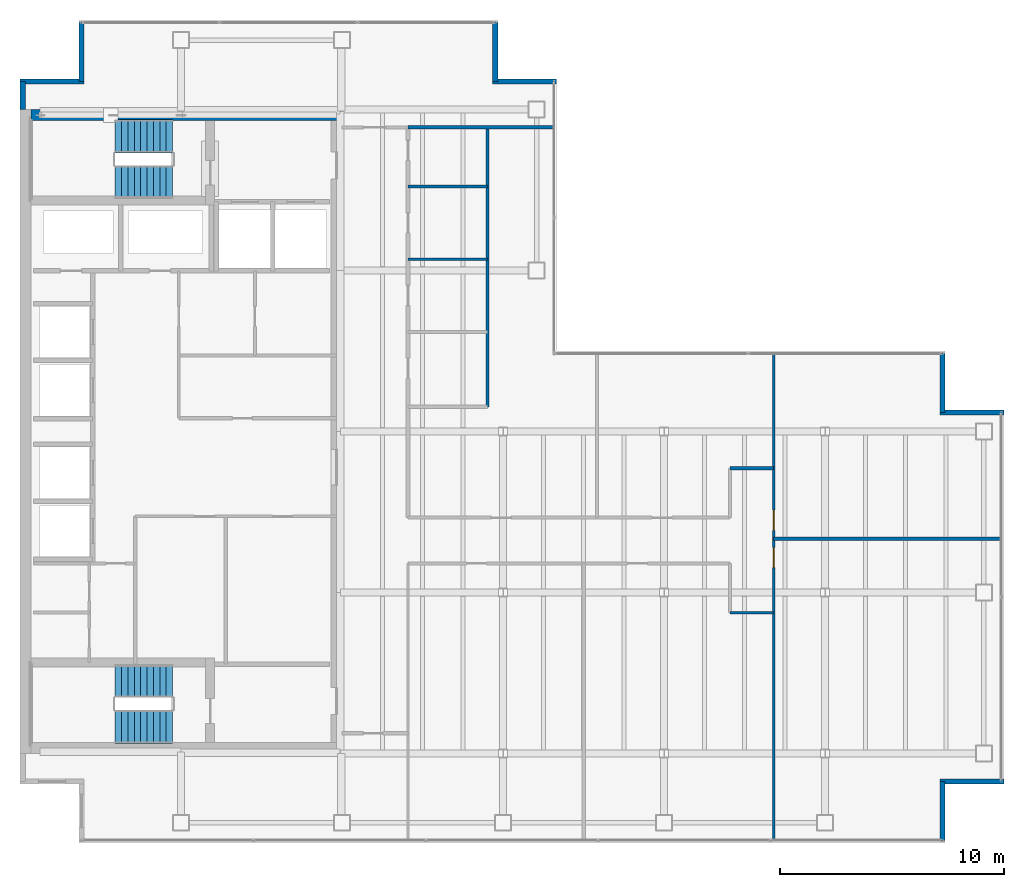
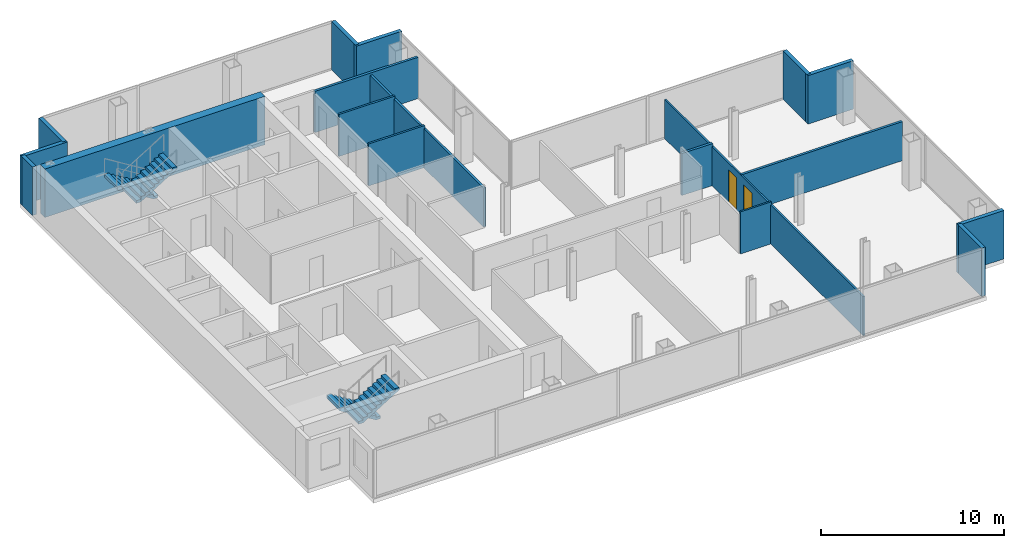
# One storey, part 22 of 23: 18 walls, 4 stair flights, 2 doors, 2 openings, 2 elements without a shape of their own.
"""IFC4 building model written with IfcOpenShell, lengths in metres."""

from ifc_helpers import new_model, si_unit, direction, frame, frame_2d, origin, place, context, subcontext, project, spatial, polyline, rectangle, outline, extrude, material, layer, layer_set, type_object, element, fill, aggregate, save


model = new_model("IFC4")

# Units and contexts
model_context = context("Model", 3, precision=1e-05, world=origin(), true_north=direction((0.0, 1.0)))
body_context = subcontext(model_context, "Body", "Model", "MODEL_VIEW")
ifc_project = project(units=[si_unit("LENGTHUNIT", "METRE"), si_unit("AREAUNIT", "SQUARE_METRE"), si_unit("VOLUMEUNIT", "CUBIC_METRE"), si_unit("PLANEANGLEUNIT", "RADIAN"), si_unit("MASSUNIT", "GRAM", prefix="KILO")], contexts=[model_context])

# Site, building, storey
site_placement = place(None, origin())
site = spatial("IfcSite", under=ifc_project, at=site_placement, CompositionType="ELEMENT")
building_placement = place(site_placement, origin())
building = spatial("IfcBuilding", under=site, at=building_placement, Name="Cobrela Telecom Tower", CompositionType="ELEMENT")
storey_placement = place(building_placement, frame((0.0, 0.0, 211.75)))
storey = spatial("IfcBuildingStorey", under=building, at=storey_placement, Name="L54", CompositionType="ELEMENT", Elevation=211.75)

# Walls
ifc_material_1 = material(Name="Concrete C40/50", Category="concrete")
ifc_layer_1 = layer(ifc_material_1, 0.5)
ifc_layer_set_1 = layer_set([ifc_layer_1], Name="Concrete C40/50")
wall_type_1 = type_object("IfcWallType", Name="WALL-CORE-C40-500", PredefinedType="SHEAR", material=ifc_layer_set_1)
wall_1_placement = place(storey_placement, frame((0.5, 35.75, 0.0), z_axis=(0.0, 0.0, 1.0), x_axis=(1.0, 0.0, 0.0)))
element("IfcWall", 1, at=wall_1_placement, inside=storey, type_object=wall_type_1, Name="L54 North Core Shear Wall", PredefinedType="SHEAR", context=body_context, shape_type="SweptSolid", body=[
    extrude(rectangle(XDim=13.89990234375, YDim=0.5, at=frame_2d((6.949951171875, 0.0))), origin(), (0.0, 0.0, 1.0), 3.239990234375),
])
ifc_layer_2 = layer(ifc_material_1, 0.239990234375)
ifc_layer_set_2 = layer_set([ifc_layer_2], Name="Concrete C40/50")
wall_type_2 = type_object("IfcWallType", Name="WALL-EXT-300", PredefinedType="STANDARD", material=ifc_layer_set_2)
wall_2_placement = place(storey_placement, frame((0.1201171875, 36.0, 0.0), z_axis=(0.0, 0.0, 1.0), x_axis=(0.0, 1.0, 0.0)))
element("IfcWall", 2, at=wall_2_placement, inside=storey, type_object=wall_type_2, Name="L54 Insulated Facade Wall 04", PredefinedType="STANDARD", context=body_context, shape_type="SweptSolid", body=[
    extrude(rectangle(XDim=1.25, YDim=0.239990234375, at=frame_2d((0.625, 0.0))), origin(), (0.0, 0.0, 1.0), 3.239990234375),
])
wall_3_placement = place(storey_placement, frame((0.0, 37.25, 0.0), z_axis=(0.0, 0.0, 1.0), x_axis=(1.0, 0.0, 0.0)))
element("IfcWall", 3, at=wall_3_placement, inside=storey, type_object=wall_type_2, Name="L54 Insulated Facade Wall 05", PredefinedType="STANDARD", context=body_context, shape_type="SweptSolid", body=[
    extrude(rectangle(XDim=2.8701171875, YDim=0.239990234375, at=frame_2d((1.43505859375, 0.0))), origin(), (0.0, 0.0, 1.0), 3.239990234375),
])
for number, where, z_axis, x_axis, name in (
    (4, (2.75, 37.25, 0.0), (0.0, 0.0, 1.0), (0.0, 1.0, 0.0), "L54 Insulated Facade Wall 06"),
    (5, (21.25, 39.8798828125, 0.0), (0.0, 0.0, 1.0), (0.0, -1.0, 0.0), "L54 Insulated Facade Wall 08"),
):
    element("IfcWall", number, at=place(storey_placement, frame(where, z_axis=z_axis, x_axis=x_axis)), inside=storey, type_object=wall_type_2, Name=name, PredefinedType="STANDARD", context=body_context, shape_type="SweptSolid", body=[
        extrude(rectangle(XDim=2.6298828125, YDim=0.239990234375, at=frame_2d((1.31494140625, 0.0))), origin(), (0.0, 0.0, 1.0), 3.239990234375),
    ])
wall_4_placement = place(storey_placement, frame((21.1298828125, 37.25, 0.0), z_axis=(0.0, 0.0, 1.0), x_axis=(1.0, 0.0, 0.0)))
element("IfcWall", 6, at=wall_4_placement, inside=storey, type_object=wall_type_2, Name="L54 Insulated Facade Wall 09", PredefinedType="STANDARD", context=body_context, shape_type="SweptSolid", body=[
    extrude(rectangle(XDim=2.8701171875, YDim=0.239990234375, at=frame_2d((1.43505859375, 0.0))), origin(), (0.0, 0.0, 1.0), 3.239990234375),
])
wall_5_placement = place(storey_placement, frame((41.25, 25.080078125, 0.0), z_axis=(0.0, 0.0, 1.0), x_axis=(0.0, -1.0, 0.0)))
element("IfcWall", 7, at=wall_5_placement, inside=storey, type_object=wall_type_2, Name="L54 Insulated Facade Wall 12", PredefinedType="STANDARD", context=body_context, shape_type="SweptSolid", body=[
    extrude(rectangle(XDim=2.630126953125, YDim=0.239990234375, at=frame_2d((1.31494140625, 0.0))), origin(), (0.0, 0.0, 1.0), 3.239990234375),
])
for number, where, z_axis, x_axis, name in (
    (8, (41.1298828125, 22.449951171875, 0.0), (0.0, 0.0, 1.0), (1.0, 0.0, 0.0), "L54 Insulated Facade Wall 13"),
    (9, (44.0, 5.949951171875, 0.0), (0.0, 0.0, 1.0), (-1.0, 0.0, 0.0), "L54 Insulated Facade Wall 15"),
):
    element("IfcWall", number, at=place(storey_placement, frame(where, z_axis=z_axis, x_axis=x_axis)), inside=storey, type_object=wall_type_2, Name=name, PredefinedType="STANDARD", context=body_context, shape_type="SweptSolid", body=[
        extrude(rectangle(XDim=2.8701171875, YDim=0.239990234375, at=frame_2d((1.43505859375, 0.0))), origin(), (0.0, 0.0, 1.0), 3.239990234375),
    ])
wall_6_placement = place(storey_placement, frame((41.25, 5.949951171875, 0.0), z_axis=(0.0, 0.0, 1.0), x_axis=(0.0, -1.0, 0.0)))
element("IfcWall", 10, at=wall_6_placement, inside=storey, type_object=wall_type_2, Name="L54 Insulated Facade Wall 16", PredefinedType="STANDARD", context=body_context, shape_type="SweptSolid", body=[
    extrude(rectangle(XDim=2.6298828125, YDim=0.239990234375, at=frame_2d((1.31494140625, 0.0))), origin(), (0.0, 0.0, 1.0), 3.239990234375),
])
ifc_material_2 = material(Name="Fire-Rated Gypsum Plasterboard")
ifc_layer_3 = layer(ifc_material_2, 0.110107421875)
ifc_layer_set_3 = layer_set([ifc_layer_3], Name="Fire-Rated Gypsum Plasterboard")
wall_type_3 = type_object("IfcWallType", Name="WALL-PART-110", PredefinedType="PARTITIONING", material=ifc_layer_set_3)
wall_7_placement = place(storey_placement, frame((31.75, 13.5, 0.0), z_axis=(0.0, 0.0, 1.0), x_axis=(1.0, 0.0, 0.0)))
element("IfcWall", 11, at=wall_7_placement, inside=storey, type_object=wall_type_3, Name="L54 Interior Partition W-CT-S", PredefinedType="PARTITIONING", context=body_context, shape_type="SweptSolid", body=[
    extrude(rectangle(XDim=1.949951171875, YDim=0.110107421875, at=frame_2d((0.97509765625, 0.0))), origin(), (0.0, 0.0, 1.0), 2.80810546875),
])

# Wall, openings, doors
wall_8_placement = place(storey_placement, frame((33.699951171875, 3.320068359375, 0.0), z_axis=(0.0, 0.0, 1.0), x_axis=(0.0, 1.0, 0.0)))
wall_8 = element("IfcWall", 12, at=wall_8_placement, inside=storey, type_object=wall_type_3, Name="L54 Interior Partition W-C-END", PredefinedType="PARTITIONING", context=body_context, shape_type="SweptSolid", body=[
    extrude(rectangle(XDim=21.760009765625, YDim=0.110107421875, at=frame_2d((10.8798828125, 0.0))), origin(), (0.0, 0.0, 1.0), 2.613037109375),
])
opening_1_placement = place(wall_8_placement, frame((12.18994140625, 0.0, 0.0)))
opening_1 = element("IfcOpeningElement", 13, at=opening_1_placement, cuts=wall_8, Name="Opening DR-41", PredefinedType="OPENING", context=body_context, shape_type="SweptSolid", body=[
    extrude(rectangle(XDim=0.89990234375, YDim=2.14990234375, at=frame_2d((0.449951171875, 1.074951171875))), frame((0.0, 0.06689453125, 0.0), z_axis=(0.0, -1.0, 0.0), x_axis=(1.0, 0.0, 0.0)), (0.0, 0.0, 1.0), 0.134033203125),
])
opening_2_placement = place(wall_8_placement, frame((13.860107421875, 0.0, 0.0)))
opening_2 = element("IfcOpeningElement", 14, at=opening_2_placement, cuts=wall_8, Name="Opening DR-41", PredefinedType="OPENING", context=body_context, shape_type="SweptSolid", body=[
    extrude(rectangle(XDim=0.89990234375, YDim=2.14990234375, at=frame_2d((0.449951171875, 1.074951171875))), frame((0.0, 0.06689453125, 0.0), z_axis=(0.0, -1.0, 0.0), x_axis=(1.0, 0.0, 0.0)), (0.0, 0.0, 1.0), 0.134033203125),
])
ifc_material_3 = material(Name="Solid Engineered Oak Timber", Category="wood")
door_type = type_object("IfcDoorType", Name="DOOR-INT-900", OperationType="SINGLE_SWING_LEFT", PredefinedType="DOOR", material=ifc_material_3)
door_1_placement = place(opening_1_placement, origin())
door_1 = element("IfcDoor", 15, at=door_1_placement, inside=storey, type_object=door_type, Name="L54 Door DR-41", OperationType="SINGLE_SWING_LEFT", OverallHeight=2.14990234375, OverallWidth=0.89990234375, PredefinedType="DOOR", context=body_context, shape_type="SweptSolid", body=[
    extrude(rectangle(XDim=0.89990234375, YDim=2.14990234375, at=frame_2d((0.449951171875, 1.074951171875))), frame((0.0, 0.02490234375, 0.0), z_axis=(0.0, -1.0, 0.0), x_axis=(1.0, 0.0, 0.0)), (0.0, 0.0, 1.0), 0.050048828125),
])
fill(opening_1, door_1)
door_2_placement = place(opening_2_placement, origin())
door_2 = element("IfcDoor", 16, at=door_2_placement, inside=storey, type_object=door_type, Name="L54 Door DR-41", OperationType="SINGLE_SWING_RIGHT", OverallHeight=2.14990234375, OverallWidth=0.89990234375, PredefinedType="DOOR", context=body_context, shape_type="SweptSolid", body=[
    extrude(rectangle(XDim=0.89990234375, YDim=2.14990234375, at=frame_2d((0.449951171875, 1.074951171875))), frame((0.0, 0.02490234375, 0.0), z_axis=(0.0, -1.0, 0.0), x_axis=(1.0, 0.0, 0.0)), (0.0, 0.0, 1.0), 0.050048828125),
])
fill(opening_2, door_2)

# Walls
ifc_layer_4 = layer(ifc_material_2, 0.125)
ifc_layer_set_4 = layer_set([ifc_layer_4], Name="Fire-Rated Gypsum Plasterboard")
wall_type_4 = type_object("IfcWallType", Name="WALL-PART-125", PredefinedType="PARTITIONING", material=ifc_layer_set_4)
for number, where, z_axis, x_axis, name in (
    (17, (17.35009765625, 29.300048828125, 0.0), (0.0, 0.0, 1.0), (1.0, 0.0, 0.0), "L54 Interior Partition W-WCD-2"),
    (18, (17.35009765625, 32.550048828125, 0.0), (0.0, 0.0, 1.0), (1.0, 0.0, 0.0), "L54 Interior Partition W-WCD-3"),
):
    element("IfcWall", number, at=place(storey_placement, frame(where, z_axis=z_axis, x_axis=x_axis)), inside=storey, type_object=wall_type_4, Name=name, PredefinedType="PARTITIONING", context=body_context, shape_type="SweptSolid", body=[
        extrude(rectangle(XDim=3.5498046875, YDim=0.125, at=frame_2d((1.77490234375, 0.0))), origin(), (0.0, 0.0, 1.0), 2.80810546875),
    ])
ifc_layer_5 = layer(ifc_material_2, 0.135009765625)
ifc_layer_set_5 = layer_set([ifc_layer_5], Name="Fire-Rated Gypsum Plasterboard")
wall_type_5 = type_object("IfcWallType", Name="WALL-PART-135", PredefinedType="PARTITIONING", material=ifc_layer_set_5)
wall_9_placement = place(storey_placement, frame((20.89990234375, 22.699951171875, 0.0), z_axis=(0.0, 0.0, 1.0), x_axis=(0.0, 1.0, 0.0)))
element("IfcWall", 19, at=wall_9_placement, inside=storey, type_object=wall_type_5, Name="L54 Interior Partition W-WC-E", PredefinedType="PARTITIONING", context=body_context, shape_type="SweptSolid", body=[
    extrude(rectangle(XDim=12.5, YDim=0.135009765625, at=frame_2d((6.25, 0.0))), origin(), (0.0, 0.0, 1.0), 2.613037109375),
])
ifc_layer_6 = layer(ifc_material_2, 0.14990234375)
ifc_layer_set_6 = layer_set([ifc_layer_6], Name="Fire-Rated Gypsum Plasterboard")
wall_type_6 = type_object("IfcWallType", Name="WALL-PART-150", PredefinedType="PARTITIONING", material=ifc_layer_set_6)
wall_10_placement = place(storey_placement, frame((33.699951171875, 16.800048828125, 0.0), z_axis=(0.0, 0.0, 1.0), x_axis=(1.0, 0.0, 0.0)))
element("IfcWall", 20, at=wall_10_placement, inside=storey, type_object=wall_type_6, Name="L54 Interior Partition W-FE-H", PredefinedType="PARTITIONING", context=body_context, shape_type="SweptSolid", body=[
    extrude(rectangle(XDim=10.179931640625, YDim=0.14990234375, at=frame_2d((5.08984375, 0.0))), origin(), (0.0, 0.0, 1.0), 2.613037109375),
])
ifc_layer_7 = layer(ifc_material_2, 0.159912109375)
ifc_layer_set_7 = layer_set([ifc_layer_7], Name="Fire-Rated Gypsum Plasterboard")
wall_type_7 = type_object("IfcWallType", Name="WALL-PART-160", PredefinedType="PARTITIONING", material=ifc_layer_set_7)
wall_11_placement = place(storey_placement, frame((31.75, 19.949951171875, 0.0), z_axis=(0.0, 0.0, 1.0), x_axis=(1.0, 0.0, 0.0)))
element("IfcWall", 21, at=wall_11_placement, inside=storey, type_object=wall_type_7, Name="L54 Interior Partition W-CT-N", PredefinedType="PARTITIONING", context=body_context, shape_type="SweptSolid", body=[
    extrude(rectangle(XDim=1.949951171875, YDim=0.159912109375, at=frame_2d((0.97509765625, 0.0))), origin(), (0.0, 0.0, 1.0), 2.80810546875),
])
wall_12_placement = place(storey_placement, frame((17.35009765625, 35.199951171875, 0.0), z_axis=(0.0, 0.0, 1.0), x_axis=(1.0, 0.0, 0.0)))
element("IfcWall", 22, at=wall_12_placement, inside=storey, type_object=wall_type_7, Name="L54 Interior Partition W-NW-S", PredefinedType="PARTITIONING", context=body_context, shape_type="SweptSolid", body=[
    extrude(rectangle(XDim=6.52978515625, YDim=0.159912109375, at=frame_2d((3.264892578125, 0.0))), origin(), (0.0, 0.0, 1.0), 2.758056640625),
])

# Stair, stair flights
stair_type = type_object("IfcStairType", Name="STAIR-CORE", PredefinedType="HALF_TURN_STAIR", material=ifc_material_1)
stair_1_placement = place(storey_placement, origin())
stair_1 = element("IfcStair", 23, at=stair_1_placement, inside=storey, type_object=stair_type, Name="L54 Smokeproof Exit Stair ST1", PredefinedType="HALF_TURN_STAIR")
stair_flight_type = type_object("IfcStairFlightType", Name="FLIGHT-CORE", PredefinedType="STRAIGHT", material=ifc_material_1)
stair_flight_1_placement = place(storey_placement, frame((6.820068359375, 34.800048828125, 0.0), z_axis=(0.0, 0.0, 1.0), x_axis=(-1.0, 0.0, 0.0)))
stair_flight_1 = element("IfcStairFlight", 24, at=stair_flight_1_placement, type_object=stair_flight_type, Name="ST1 flight 1", NumberOfRisers=10, NumberOfTreads=9, PredefinedType="STRAIGHT", RiserHeight=0.175, TreadLength=0.285, context=body_context, shape_type="SweptSolid", body=[
    extrude(outline(polyline([(0.0, 0.0), (0.0, 0.175048828125), (0.284912109375, 0.175048828125), (0.284912109375, 0.35009765625), (0.570068359375, 0.35009765625), (0.570068359375, 0.52490234375), (0.85498046875, 0.52490234375), (0.85498046875, 0.699951171875), (1.139892578125, 0.699951171875), (1.139892578125, 0.875), (1.425048828125, 0.875), (1.425048828125, 1.050048828125), (1.7099609375, 1.050048828125), (1.7099609375, 1.22509765625), (1.9951171875, 1.22509765625), (1.9951171875, 1.39990234375), (2.280029296875, 1.39990234375), (2.280029296875, 1.574951171875), (2.56494140625, 1.574951171875), (2.56494140625, 1.75), (2.56494140625, 1.399169921875), (0.286376953125, 0.0), (0.0, 0.0)])), frame((0.0, 0.75, 0.0), z_axis=(0.0, -1.0, 0.0), x_axis=(1.0, 0.0, 0.0)), (0.0, 0.0, 1.0), 1.5),
])
stair_flight_2_placement = place(storey_placement, frame((4.2548828125, 32.75, 1.75), z_axis=(0.0, 0.0, 1.0), x_axis=(1.0, 0.0, 0.0)))
stair_flight_2 = element("IfcStairFlight", 25, at=stair_flight_2_placement, type_object=stair_flight_type, Name="ST1 flight 2", NumberOfRisers=10, NumberOfTreads=9, PredefinedType="STRAIGHT", RiserHeight=0.175, TreadLength=0.285, context=body_context, shape_type="SweptSolid", body=[
    extrude(outline(polyline([(0.0, 0.0), (0.0, 0.175048828125), (0.284912109375, 0.175048828125), (0.284912109375, 0.35009765625), (0.570068359375, 0.35009765625), (0.570068359375, 0.52490234375), (0.85498046875, 0.52490234375), (0.85498046875, 0.699951171875), (1.139892578125, 0.699951171875), (1.139892578125, 0.875), (1.425048828125, 0.875), (1.425048828125, 1.050048828125), (1.7099609375, 1.050048828125), (1.7099609375, 1.22509765625), (1.9951171875, 1.22509765625), (1.9951171875, 1.39990234375), (2.280029296875, 1.39990234375), (2.280029296875, 1.574951171875), (2.56494140625, 1.574951171875), (2.56494140625, 1.75), (2.56494140625, 1.399169921875), (0.286376953125, 0.0), (0.0, 0.0)])), frame((0.0, 0.75, 0.0), z_axis=(0.0, -1.0, 0.0), x_axis=(1.0, 0.0, 0.0)), (0.0, 0.0, 1.0), 1.5),
])
aggregate(stair_1, [stair_flight_1, stair_flight_2])

stair_2_placement = place(storey_placement, origin())
stair_2 = element("IfcStair", 26, at=stair_2_placement, inside=storey, type_object=stair_type, Name="L54 Smokeproof Exit Stair ST2", PredefinedType="HALF_TURN_STAIR")
stair_flight_3_placement = place(storey_placement, frame((6.820068359375, 10.449951171875, 0.0), z_axis=(0.0, 0.0, 1.0), x_axis=(-1.0, 0.0, 0.0)))
stair_flight_3 = element("IfcStairFlight", 27, at=stair_flight_3_placement, type_object=stair_flight_type, Name="ST2 flight 1", NumberOfRisers=10, NumberOfTreads=9, PredefinedType="STRAIGHT", RiserHeight=0.175, TreadLength=0.285, context=body_context, shape_type="SweptSolid", body=[
    extrude(outline(polyline([(0.0, 0.0), (0.0, 0.175048828125), (0.284912109375, 0.175048828125), (0.284912109375, 0.35009765625), (0.570068359375, 0.35009765625), (0.570068359375, 0.52490234375), (0.85498046875, 0.52490234375), (0.85498046875, 0.699951171875), (1.139892578125, 0.699951171875), (1.139892578125, 0.875), (1.425048828125, 0.875), (1.425048828125, 1.050048828125), (1.7099609375, 1.050048828125), (1.7099609375, 1.22509765625), (1.9951171875, 1.22509765625), (1.9951171875, 1.39990234375), (2.280029296875, 1.39990234375), (2.280029296875, 1.574951171875), (2.56494140625, 1.574951171875), (2.56494140625, 1.75), (2.56494140625, 1.399169921875), (0.286376953125, 0.0), (0.0, 0.0)])), frame((0.0, 0.75, 0.0), z_axis=(0.0, -1.0, 0.0), x_axis=(1.0, 0.0, 0.0)), (0.0, 0.0, 1.0), 1.5),
])
stair_flight_4_placement = place(storey_placement, frame((4.2548828125, 8.39990234375, 1.75), z_axis=(0.0, 0.0, 1.0), x_axis=(1.0, 0.0, 0.0)))
stair_flight_4 = element("IfcStairFlight", 28, at=stair_flight_4_placement, type_object=stair_flight_type, Name="ST2 flight 2", NumberOfRisers=10, NumberOfTreads=9, PredefinedType="STRAIGHT", RiserHeight=0.175, TreadLength=0.285, context=body_context, shape_type="SweptSolid", body=[
    extrude(outline(polyline([(0.0, 0.0), (0.0, 0.175048828125), (0.284912109375, 0.175048828125), (0.284912109375, 0.35009765625), (0.570068359375, 0.35009765625), (0.570068359375, 0.52490234375), (0.85498046875, 0.52490234375), (0.85498046875, 0.699951171875), (1.139892578125, 0.699951171875), (1.139892578125, 0.875), (1.425048828125, 0.875), (1.425048828125, 1.050048828125), (1.7099609375, 1.050048828125), (1.7099609375, 1.22509765625), (1.9951171875, 1.22509765625), (1.9951171875, 1.39990234375), (2.280029296875, 1.39990234375), (2.280029296875, 1.574951171875), (2.56494140625, 1.574951171875), (2.56494140625, 1.75), (2.56494140625, 1.399169921875), (0.286376953125, 0.0), (0.0, 0.0)])), frame((0.0, 0.75, 0.0), z_axis=(0.0, -1.0, 0.0), x_axis=(1.0, 0.0, 0.0)), (0.0, 0.0, 1.0), 1.5),
])
aggregate(stair_2, [stair_flight_3, stair_flight_4])

save(model, "model.ifc")
